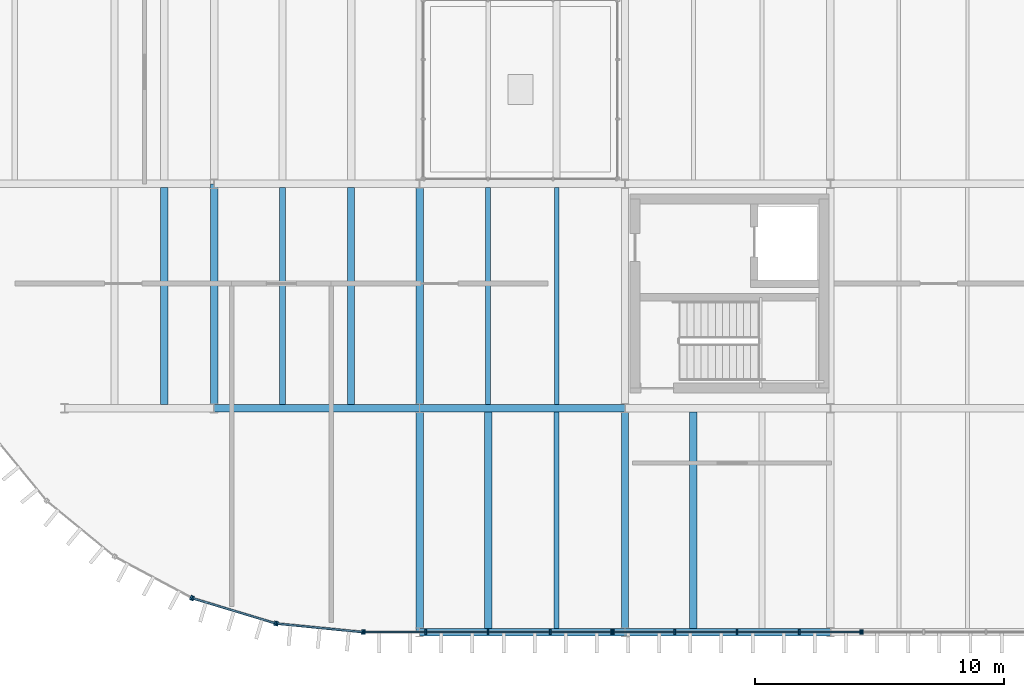
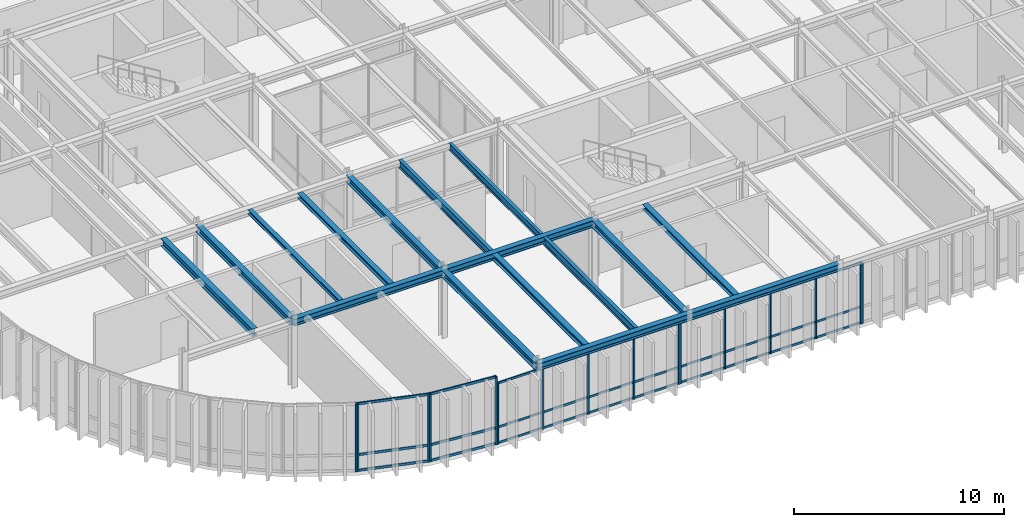
# One storey, part 8 of 31: 28 members, 16 beams, 6 elements without a shape of their own.
"""IFC4 building model written with IfcOpenShell, lengths in metres."""

from ifc_helpers import new_model, si_unit, direction, frame, origin, origin_2d, place, context, subcontext, project, spatial, rectangle, i_section, extrude, material, layer, layer_set, material_profile, profile_set, type_object, element, aggregate, save


model = new_model("IFC4")

# Units and contexts
model_context = context("Model", 3, precision=1e-05, world=origin(), true_north=direction((0.0, 1.0)))
body_context = subcontext(model_context, "Body", "Model", "MODEL_VIEW")
ifc_project = project(units=[si_unit("LENGTHUNIT", "METRE"), si_unit("AREAUNIT", "SQUARE_METRE"), si_unit("VOLUMEUNIT", "CUBIC_METRE"), si_unit("PLANEANGLEUNIT", "RADIAN"), si_unit("MASSUNIT", "GRAM", prefix="KILO")], contexts=[model_context])

# Site, building, storey
site_placement = place(None, origin())
site = spatial("IfcSite", under=ifc_project, at=site_placement, CompositionType="ELEMENT")
building_placement = place(site_placement, origin())
building = spatial("IfcBuilding", under=site, at=building_placement, Name="Montealbar Specialist Clinic", CompositionType="ELEMENT")
storey_placement = place(building_placement, frame((0.0, 0.0, 13.800048828125)))
storey = spatial("IfcBuildingStorey", under=building, at=storey_placement, Name="L03", CompositionType="ELEMENT", Elevation=13.800048828125)

# Beams
ifc_material_1 = material(Name="Steel S355", Category="steel")
ifc_material_profile_1 = material_profile(ifc_material_1, i_section(OverallWidth=0.300048828125, OverallDepth=0.39990234375, WebThickness=0.013427734375, FlangeThickness=0.02392578125, FilletRadius=0.027099609375, at=origin_2d()), Name="HEB 400", Category="steel")
ifc_profile_set_1 = profile_set([ifc_material_profile_1], Name="Steel S355")
beam_type_1 = type_object("IfcBeamType", Name="BM-GIRD-HEB400", PredefinedType="BEAM", material=ifc_profile_set_1)
for number, where, z_axis, x_axis, name in (
    (1, (66.0, 9.0, 3.739990234375), (1.0, 0.0, 0.0), (0.0, 1.0, 0.0), "Beam GX-L03-660-742-90"),
    (2, (74.25, 9.0, 3.739990234375), (1.0, 0.0, 0.0), (0.0, 1.0, 0.0), "Beam GX-L03-742-825-90"),
):
    element("IfcBeam", number, at=place(storey_placement, frame(where, z_axis=z_axis, x_axis=x_axis)), inside=storey, type_object=beam_type_1, Name=name, PredefinedType="BEAM", context=body_context, shape_type="SweptSolid", body=[
        extrude(i_section(OverallWidth=0.300048828125, OverallDepth=0.39990234375, WebThickness=0.013427734375, FlangeThickness=0.02392578125, FilletRadius=0.027099609375, at=origin_2d()), origin(), (0.0, 0.0, 1.0), 8.25),
    ])
for number, where, z_axis, x_axis, name in (
    (3, (66.0, 9.0, 3.739990234375), (0.0, 1.0, 0.0), (-1.0, 0.0, 0.0), "Beam GY-L03-660-90-180"),
    (4, (74.25, 0.0, 3.739990234375), (0.0, 1.0, 0.0), (-1.0, 0.0, 0.0), "Beam GY-L03-742-0-90"),
    (5, (74.25, 9.0, 3.739990234375), (0.0, 1.0, 0.0), (-1.0, 0.0, 0.0), "Beam GY-L03-742-90-180"),
    (6, (82.5, 0.0, 3.739990234375), (0.0, 1.0, 0.0), (-1.0, 0.0, 0.0), "Beam GY-L03-825-0-90"),
):
    element("IfcBeam", number, at=place(storey_placement, frame(where, z_axis=z_axis, x_axis=x_axis)), inside=storey, type_object=beam_type_1, Name=name, PredefinedType="BEAM", context=body_context, shape_type="SweptSolid", body=[
        extrude(i_section(OverallWidth=0.300048828125, OverallDepth=0.39990234375, WebThickness=0.013427734375, FlangeThickness=0.02392578125, FilletRadius=0.027099609375, at=origin_2d()), origin(), (0.0, 0.0, 1.0), 9.0),
    ])
ifc_material_profile_2 = material_profile(ifc_material_1, i_section(OverallWidth=0.300048828125, OverallDepth=0.39990234375, WebThickness=0.013427734375, FlangeThickness=0.02392578125, FilletRadius=0.027099609375, at=origin_2d()), Name="HEB 400", Category="steel")
ifc_profile_set_2 = profile_set([ifc_material_profile_2], Name="Steel S355")
beam_type_2 = type_object("IfcBeamType", Name="BM-GIRD-HEB400-EXT", PredefinedType="BEAM", material=ifc_profile_set_2)
for number, where, z_axis, x_axis, name in (
    (7, (74.25, 0.0, 3.739990234375), (1.0, 0.0, 0.0), (0.0, 1.0, 0.0), "Beam GX-L03-742-825-0"),
    (8, (82.5, 0.0, 3.739990234375), (1.0, 0.0, 0.0), (0.0, 1.0, 0.0), "Beam GX-L03-825-908-0"),
):
    element("IfcBeam", number, at=place(storey_placement, frame(where, z_axis=z_axis, x_axis=x_axis)), inside=storey, type_object=beam_type_2, Name=name, PredefinedType="BEAM", context=body_context, shape_type="SweptSolid", body=[
        extrude(i_section(OverallWidth=0.300048828125, OverallDepth=0.39990234375, WebThickness=0.013427734375, FlangeThickness=0.02392578125, FilletRadius=0.027099609375, at=origin_2d()), origin(), (0.0, 0.0, 1.0), 8.25),
    ])
ifc_material_profile_3 = material_profile(ifc_material_1, i_section(OverallWidth=0.300048828125, OverallDepth=0.43994140625, WebThickness=0.011474609375, FlangeThickness=0.02099609375, FilletRadius=0.027099609375, at=origin_2d()), Name="HEA 450", Category="steel")
ifc_profile_set_3 = profile_set([ifc_material_profile_3], Name="Steel S355")
beam_type_3 = type_object("IfcBeamType", Name="BM-JST-HEA450", PredefinedType="JOIST", material=ifc_profile_set_3)
beam_1_placement = place(storey_placement, frame((64.0, 9.14990234375, 3.719970703125), z_axis=(0.0, 1.0, 0.0), x_axis=(-1.0, 0.0, 0.0)))
element("IfcBeam", 9, at=beam_1_placement, inside=storey, type_object=beam_type_3, Name="Beam JST-L03-640-92-178", PredefinedType="JOIST", context=body_context, shape_type="SweptSolid", body=[
    extrude(i_section(OverallWidth=0.300048828125, OverallDepth=0.43994140625, WebThickness=0.011474609375, FlangeThickness=0.02099609375, FilletRadius=0.027099609375, at=origin_2d()), origin(), (0.0, 0.0, 1.0), 8.7001953125),
])
ifc_material_profile_4 = material_profile(ifc_material_1, i_section(OverallWidth=0.239990234375, OverallDepth=0.239990234375, WebThickness=0.010009765625, FlangeThickness=0.01708984375, FilletRadius=0.02099609375, at=origin_2d()), Name="HEB 240", Category="steel")
ifc_profile_set_4 = profile_set([ifc_material_profile_4], Name="Steel S355")
beam_type_4 = type_object("IfcBeamType", Name="BM-JST-HEB240", PredefinedType="JOIST", material=ifc_profile_set_4)
beam_2_placement = place(storey_placement, frame((68.75, 9.14990234375, 3.820068359375), z_axis=(0.0, 1.0, 0.0), x_axis=(-1.0, 0.0, 0.0)))
element("IfcBeam", 10, at=beam_2_placement, inside=storey, type_object=beam_type_4, Name="Beam JST-L03-688-92-178", PredefinedType="JOIST", context=body_context, shape_type="SweptSolid", body=[
    extrude(i_section(OverallWidth=0.239990234375, OverallDepth=0.239990234375, WebThickness=0.010009765625, FlangeThickness=0.01708984375, FilletRadius=0.02099609375, at=origin_2d()), origin(), (0.0, 0.0, 1.0), 8.7001953125),
])
ifc_material_profile_5 = material_profile(ifc_material_1, i_section(OverallWidth=0.280029296875, OverallDepth=0.280029296875, WebThickness=0.010498046875, FlangeThickness=0.01806640625, FilletRadius=0.02392578125, at=origin_2d()), Name="HEB 280", Category="steel")
ifc_profile_set_5 = profile_set([ifc_material_profile_5], Name="Steel S355")
beam_type_5 = type_object("IfcBeamType", Name="BM-JST-HEB280", PredefinedType="JOIST", material=ifc_profile_set_5)
beam_3_placement = place(storey_placement, frame((71.5, 9.14990234375, 3.800048828125), z_axis=(0.0, 1.0, 0.0), x_axis=(-1.0, 0.0, 0.0)))
element("IfcBeam", 11, at=beam_3_placement, inside=storey, type_object=beam_type_5, Name="Beam JST-L03-715-92-178", PredefinedType="JOIST", context=body_context, shape_type="SweptSolid", body=[
    extrude(i_section(OverallWidth=0.280029296875, OverallDepth=0.280029296875, WebThickness=0.010498046875, FlangeThickness=0.01806640625, FilletRadius=0.02392578125, at=origin_2d()), origin(), (0.0, 0.0, 1.0), 8.7001953125),
])
ifc_material_profile_6 = material_profile(ifc_material_1, i_section(OverallWidth=0.300048828125, OverallDepth=0.320068359375, WebThickness=0.011474609375, FlangeThickness=0.0205078125, FilletRadius=0.027099609375, at=origin_2d()), Name="HEB 320", Category="steel")
ifc_profile_set_6 = profile_set([ifc_material_profile_6], Name="Steel S355")
beam_type_6 = type_object("IfcBeamType", Name="BM-JST-HEB320", PredefinedType="JOIST", material=ifc_profile_set_6)
beam_4_placement = place(storey_placement, frame((77.0, 0.14990234375, 3.780029296875), z_axis=(0.0, 1.0, 0.0), x_axis=(-1.0, 0.0, 0.0)))
element("IfcBeam", 12, at=beam_4_placement, inside=storey, type_object=beam_type_6, Name="Beam JST-L03-770-2-88", PredefinedType="JOIST", context=body_context, shape_type="SweptSolid", body=[
    extrude(i_section(OverallWidth=0.300048828125, OverallDepth=0.320068359375, WebThickness=0.011474609375, FlangeThickness=0.0205078125, FilletRadius=0.027099609375, at=origin_2d()), origin(), (0.0, 0.0, 1.0), 8.7001953125),
])
ifc_material_profile_7 = material_profile(ifc_material_1, i_section(OverallWidth=0.179931640625, OverallDepth=0.39990234375, WebThickness=0.008544921875, FlangeThickness=0.013427734375, FilletRadius=0.02099609375, at=origin_2d()), Name="IPE 400", Category="steel")
ifc_profile_set_7 = profile_set([ifc_material_profile_7], Name="Steel S355")
beam_type_7 = type_object("IfcBeamType", Name="BM-SEC-IPE400", PredefinedType="BEAM", material=ifc_profile_set_7)
beam_5_placement = place(storey_placement, frame((79.75, 9.14990234375, 3.739990234375), z_axis=(0.0, 1.0, 0.0), x_axis=(-1.0, 0.0, 0.0)))
element("IfcBeam", 13, at=beam_5_placement, inside=storey, type_object=beam_type_7, Name="Beam JST-L03-798-92-178", PredefinedType="BEAM", context=body_context, shape_type="SweptSolid", body=[
    extrude(i_section(OverallWidth=0.179931640625, OverallDepth=0.39990234375, WebThickness=0.008544921875, FlangeThickness=0.013427734375, FilletRadius=0.02099609375, at=origin_2d()), origin(), (0.0, 0.0, 1.0), 8.7001953125),
])
ifc_material_profile_8 = material_profile(ifc_material_1, i_section(OverallWidth=0.18994140625, OverallDepth=0.449951171875, WebThickness=0.009521484375, FlangeThickness=0.0146484375, FilletRadius=0.02099609375, at=origin_2d()), Name="IPE 450", Category="steel")
ifc_profile_set_8 = profile_set([ifc_material_profile_8], Name="Steel S355")
beam_type_8 = type_object("IfcBeamType", Name="BM-SEC-IPE450", PredefinedType="BEAM", material=ifc_profile_set_8)
for number, where, z_axis, x_axis, name in (
    (14, (79.75, 0.14990234375, 3.71484375), (0.0, 1.0, 0.0), (-1.0, 0.0, 0.0), "Beam JST-L03-798-2-88"),
    (15, (77.0, 9.14990234375, 3.71484375), (0.0, 1.0, 0.0), (-1.0, 0.0, 0.0), "Beam JST-L03-770-92-178"),
):
    element("IfcBeam", number, at=place(storey_placement, frame(where, z_axis=z_axis, x_axis=x_axis)), inside=storey, type_object=beam_type_8, Name=name, PredefinedType="BEAM", context=body_context, shape_type="SweptSolid", body=[
        extrude(i_section(OverallWidth=0.18994140625, OverallDepth=0.449951171875, WebThickness=0.009521484375, FlangeThickness=0.0146484375, FilletRadius=0.02099609375, at=origin_2d()), origin(), (0.0, 0.0, 1.0), 8.7001953125),
    ])
ifc_material_profile_9 = material_profile(ifc_material_1, i_section(OverallWidth=0.300048828125, OverallDepth=0.2900390625, WebThickness=0.008544921875, FlangeThickness=0.013916015625, FilletRadius=0.027099609375, at=origin_2d()), Name="HEA 300", Category="steel")
ifc_profile_set_9 = profile_set([ifc_material_profile_9], Name="Steel S355")
beam_type_9 = type_object("IfcBeamType", Name="BM-SPAND-HEA300", PredefinedType="SPANDREL", material=ifc_profile_set_9)
beam_6_placement = place(storey_placement, frame((85.25, 0.14990234375, 3.794921875), z_axis=(0.0, 1.0, 0.0), x_axis=(-1.0, 0.0, 0.0)))
element("IfcBeam", 16, at=beam_6_placement, inside=storey, type_object=beam_type_9, Name="Beam JST-L03-852-2-88", PredefinedType="SPANDREL", context=body_context, shape_type="SweptSolid", body=[
    extrude(i_section(OverallWidth=0.300048828125, OverallDepth=0.2900390625, WebThickness=0.008544921875, FlangeThickness=0.013916015625, FilletRadius=0.027099609375, at=origin_2d()), origin(), (0.0, 0.0, 1.0), 8.7001953125),
])

# Curtain wall, member
ifc_material_2 = material(Name="Low-E double glazing", Category="glass")
ifc_layer_1 = layer(ifc_material_2, 0.199951171875, Name="Low-E double glazing", Category="glass")
ifc_layer_set_1 = layer_set([ifc_layer_1], Name="Low-E double glazing")
curtain_wall_type_1 = type_object("IfcCurtainWallType", Name="CW-TYPE-22", PredefinedType="NOTDEFINED", material=ifc_layer_set_1)
curtain_wall_1_placement = place(storey_placement, origin())
curtain_wall_1 = element("IfcCurtainWall", 17, at=curtain_wall_1_placement, inside=storey, type_object=curtain_wall_type_1, Name="Unitised Curtain Wall CW-L03-1020-0-920-0-138", PredefinedType="NOTDEFINED")
ifc_material_3 = material(Name="Anodised aluminium EN AW-6063", Category="aluminium")
ifc_material_profile_10 = material_profile(ifc_material_3, rectangle(XDim=0.070068359375, YDim=0.179931640625, at=origin_2d()), Name="ALU 70x180", Category="aluminium")
ifc_profile_set_10 = profile_set([ifc_material_profile_10], Name="Anodised aluminium EN AW-6063")
member_type_1 = type_object("IfcMemberType", Name="CW-MUL-200", PredefinedType="MULLION", material=ifc_profile_set_10)
member_1_placement = place(storey_placement, frame((92.0400390625, 0.0, 0.0), z_axis=(0.0, 0.0, 1.0), x_axis=(-1.0, 0.0, 0.0)))
member_1 = element("IfcMember", 18, at=member_1_placement, type_object=member_type_1, Name="Curtain Wall Mullion CW-L03-1020-0-920-0-138-04", PredefinedType="MULLION", context=body_context, shape_type="SweptSolid", body=[
    extrude(rectangle(XDim=0.070068359375, YDim=0.179931640625, at=origin_2d()), origin(), (0.0, 0.0, 1.0), 3.5400390625),
])
aggregate(curtain_wall_1, [member_1])

# Curtain wall, members
curtain_wall_2_placement = place(storey_placement, origin())
curtain_wall_2 = element("IfcCurtainWall", 19, at=curtain_wall_2_placement, inside=storey, type_object=curtain_wall_type_1, Name="Unitised Curtain Wall CW-L03-920-0-820-0-138", PredefinedType="NOTDEFINED")
member_2_placement = place(storey_placement, frame((91.9599609375, 0.0, 0.0), z_axis=(0.0, 0.0, 1.0), x_axis=(-1.0, 0.0, 0.0)))
member_2 = element("IfcMember", 20, at=member_2_placement, type_object=member_type_1, Name="Curtain Wall Mullion CW-L03-920-0-820-0-138-00", PredefinedType="MULLION", context=body_context, shape_type="SweptSolid", body=[
    extrude(rectangle(XDim=0.070068359375, YDim=0.179931640625, at=origin_2d()), origin(), (0.0, 0.0, 1.0), 3.5400390625),
])
member_3_placement = place(storey_placement, frame((89.5, 0.0, 0.0), z_axis=(0.0, 0.0, 1.0), x_axis=(-1.0, 0.0, 0.0)))
member_3 = element("IfcMember", 21, at=member_3_placement, type_object=member_type_1, Name="Curtain Wall Mullion CW-L03-920-0-820-0-138-01", PredefinedType="MULLION", context=body_context, shape_type="SweptSolid", body=[
    extrude(rectangle(XDim=0.070068359375, YDim=0.179931640625, at=origin_2d()), origin(), (0.0, 0.0, 1.0), 3.5400390625),
])
member_4_placement = place(storey_placement, frame((87.0, 0.0, 0.0), z_axis=(0.0, 0.0, 1.0), x_axis=(-1.0, 0.0, 0.0)))
member_4 = element("IfcMember", 22, at=member_4_placement, type_object=member_type_1, Name="Curtain Wall Mullion CW-L03-920-0-820-0-138-02", PredefinedType="MULLION", context=body_context, shape_type="SweptSolid", body=[
    extrude(rectangle(XDim=0.070068359375, YDim=0.179931640625, at=origin_2d()), origin(), (0.0, 0.0, 1.0), 3.5400390625),
])
member_5_placement = place(storey_placement, frame((84.5, 0.0, 0.0), z_axis=(0.0, 0.0, 1.0), x_axis=(-1.0, 0.0, 0.0)))
member_5 = element("IfcMember", 23, at=member_5_placement, type_object=member_type_1, Name="Curtain Wall Mullion CW-L03-920-0-820-0-138-03", PredefinedType="MULLION", context=body_context, shape_type="SweptSolid", body=[
    extrude(rectangle(XDim=0.070068359375, YDim=0.179931640625, at=origin_2d()), origin(), (0.0, 0.0, 1.0), 3.5400390625),
])
member_6_placement = place(storey_placement, frame((82.0400390625, 0.0, 0.0), z_axis=(0.0, 0.0, 1.0), x_axis=(-1.0, 0.0, 0.0)))
member_6 = element("IfcMember", 24, at=member_6_placement, type_object=member_type_1, Name="Curtain Wall Mullion CW-L03-920-0-820-0-138-04", PredefinedType="MULLION", context=body_context, shape_type="SweptSolid", body=[
    extrude(rectangle(XDim=0.070068359375, YDim=0.179931640625, at=origin_2d()), origin(), (0.0, 0.0, 1.0), 3.5400390625),
])

curtain_wall_3_placement = place(storey_placement, origin())
curtain_wall_3 = element("IfcCurtainWall", 25, at=curtain_wall_3_placement, inside=storey, type_object=curtain_wall_type_1, Name="Unitised Curtain Wall CW-L03-820-0-720-0-138", PredefinedType="NOTDEFINED")
member_7_placement = place(storey_placement, frame((81.9599609375, 0.0, 0.0), z_axis=(0.0, 0.0, 1.0), x_axis=(-1.0, 0.0, 0.0)))
member_7 = element("IfcMember", 26, at=member_7_placement, type_object=member_type_1, Name="Curtain Wall Mullion CW-L03-820-0-720-0-138-00", PredefinedType="MULLION", context=body_context, shape_type="SweptSolid", body=[
    extrude(rectangle(XDim=0.070068359375, YDim=0.179931640625, at=origin_2d()), origin(), (0.0, 0.0, 1.0), 3.5400390625),
])
member_8_placement = place(storey_placement, frame((79.5, 0.0, 0.0), z_axis=(0.0, 0.0, 1.0), x_axis=(-1.0, 0.0, 0.0)))
member_8 = element("IfcMember", 27, at=member_8_placement, type_object=member_type_1, Name="Curtain Wall Mullion CW-L03-820-0-720-0-138-01", PredefinedType="MULLION", context=body_context, shape_type="SweptSolid", body=[
    extrude(rectangle(XDim=0.070068359375, YDim=0.179931640625, at=origin_2d()), origin(), (0.0, 0.0, 1.0), 3.5400390625),
])
member_9_placement = place(storey_placement, frame((77.0, 0.0, 0.0), z_axis=(0.0, 0.0, 1.0), x_axis=(-1.0, 0.0, 0.0)))
member_9 = element("IfcMember", 28, at=member_9_placement, type_object=member_type_1, Name="Curtain Wall Mullion CW-L03-820-0-720-0-138-02", PredefinedType="MULLION", context=body_context, shape_type="SweptSolid", body=[
    extrude(rectangle(XDim=0.070068359375, YDim=0.179931640625, at=origin_2d()), origin(), (0.0, 0.0, 1.0), 3.5400390625),
])
member_10_placement = place(storey_placement, frame((74.5, 0.0, 0.0), z_axis=(0.0, 0.0, 1.0), x_axis=(-1.0, 0.0, 0.0)))
member_10 = element("IfcMember", 29, at=member_10_placement, type_object=member_type_1, Name="Curtain Wall Mullion CW-L03-820-0-720-0-138-03", PredefinedType="MULLION", context=body_context, shape_type="SweptSolid", body=[
    extrude(rectangle(XDim=0.070068359375, YDim=0.179931640625, at=origin_2d()), origin(), (0.0, 0.0, 1.0), 3.5400390625),
])
member_11_placement = place(storey_placement, frame((72.0400390625, 0.0, 0.0), z_axis=(0.0, 0.0, 1.0), x_axis=(-1.0, 0.0, 0.0)))
member_11 = element("IfcMember", 30, at=member_11_placement, type_object=member_type_1, Name="Curtain Wall Mullion CW-L03-820-0-720-0-138-04", PredefinedType="MULLION", context=body_context, shape_type="SweptSolid", body=[
    extrude(rectangle(XDim=0.070068359375, YDim=0.179931640625, at=origin_2d()), origin(), (0.0, 0.0, 1.0), 3.5400390625),
])

ifc_layer_2 = layer(ifc_material_2, 0.199951171875, Name="Low-E double glazing", Category="glass")
ifc_layer_set_2 = layer_set([ifc_layer_2], Name="Low-E double glazing")
curtain_wall_type_2 = type_object("IfcCurtainWallType", Name="CW-TYPE-19", PredefinedType="NOTDEFINED", material=ifc_layer_set_2)
curtain_wall_4_placement = place(storey_placement, origin())
curtain_wall_4 = element("IfcCurtainWall", 31, at=curtain_wall_4_placement, inside=storey, type_object=curtain_wall_type_2, Name="Unitised Curtain Wall CW-L03-720-0-685-3-138", PredefinedType="NOTDEFINED")
member_12_placement = place(storey_placement, frame((71.9599609375, 0.00390625, 0.0), z_axis=(0.0, 0.0, 1.0), x_axis=(-0.995182012183, 0.098044697094, 0.0)))
member_12 = element("IfcMember", 32, at=member_12_placement, type_object=member_type_1, Name="Curtain Wall Mullion CW-L03-720-0-685-3-138-00", PredefinedType="MULLION", context=body_context, shape_type="SweptSolid", body=[
    extrude(rectangle(XDim=0.070068359375, YDim=0.179931640625, at=origin_2d()), origin(), (0.0, 0.0, 1.0), 3.93994140625),
])
member_13_placement = place(storey_placement, frame((68.528076171875, 0.342041015625, 0.0), z_axis=(0.0, 0.0, 1.0), x_axis=(-0.995182012183, 0.098044697094, 0.0)))
member_13 = element("IfcMember", 33, at=member_13_placement, type_object=member_type_1, Name="Curtain Wall Mullion CW-L03-720-0-685-3-138-01", PredefinedType="MULLION", context=body_context, shape_type="SweptSolid", body=[
    extrude(rectangle(XDim=0.070068359375, YDim=0.179931640625, at=origin_2d()), origin(), (0.0, 0.0, 1.0), 3.93994140625),
])

curtain_wall_5_placement = place(storey_placement, origin())
curtain_wall_5 = element("IfcCurtainWall", 34, at=curtain_wall_5_placement, inside=storey, type_object=curtain_wall_type_2, Name="Unitised Curtain Wall CW-L03-685-3-651-14-138", PredefinedType="NOTDEFINED")
member_14_placement = place(storey_placement, frame((68.449951171875, 0.35791015625, 0.0), z_axis=(0.0, 0.0, 1.0), x_axis=(-0.956948083701, 0.290259134399, 0.0)))
member_14 = element("IfcMember", 35, at=member_14_placement, type_object=member_type_1, Name="Curtain Wall Mullion CW-L03-685-3-651-14-138-00", PredefinedType="MULLION", context=body_context, shape_type="SweptSolid", body=[
    extrude(rectangle(XDim=0.070068359375, YDim=0.179931640625, at=origin_2d()), origin(), (0.0, 0.0, 1.0), 3.93994140625),
])
member_15_placement = place(storey_placement, frame((65.14990234375, 1.35791015625, 0.0), z_axis=(0.0, 0.0, 1.0), x_axis=(-0.956948083701, 0.290259134399, 0.0)))
member_15 = element("IfcMember", 36, at=member_15_placement, type_object=member_type_1, Name="Curtain Wall Mullion CW-L03-685-3-651-14-138-01", PredefinedType="MULLION", context=body_context, shape_type="SweptSolid", body=[
    extrude(rectangle(XDim=0.070068359375, YDim=0.179931640625, at=origin_2d()), origin(), (0.0, 0.0, 1.0), 3.93994140625),
])

# Curtain wall, member
curtain_wall_6_placement = place(storey_placement, origin())
curtain_wall_6 = element("IfcCurtainWall", 37, at=curtain_wall_6_placement, inside=storey, type_object=curtain_wall_type_2, Name="Unitised Curtain Wall CW-L03-651-14-620-30-138", PredefinedType="NOTDEFINED")
member_16_placement = place(storey_placement, frame((65.076904296875, 1.388916015625, 0.0), z_axis=(0.0, 0.0, 1.0), x_axis=(-0.881850411644, 0.471529268958, 0.0)))
member_16 = element("IfcMember", 38, at=member_16_placement, type_object=member_type_1, Name="Curtain Wall Mullion CW-L03-651-14-620-30-138-00", PredefinedType="MULLION", context=body_context, shape_type="SweptSolid", body=[
    extrude(rectangle(XDim=0.070068359375, YDim=0.179931640625, at=origin_2d()), origin(), (0.0, 0.0, 1.0), 3.93994140625),
])
aggregate(curtain_wall_6, [member_16])

# Member
ifc_material_4 = material(Name="Powder-coated aluminium", Category="aluminium")
ifc_material_profile_11 = material_profile(ifc_material_4, rectangle(XDim=0.06005859375, YDim=0.1201171875, at=origin_2d()), Name="ALU 60x120", Category="aluminium")
ifc_profile_set_11 = profile_set([ifc_material_profile_11], Name="Powder-coated aluminium")
member_type_2 = type_object("IfcMemberType", Name="CW-TRN-120", PredefinedType="USERDEFINED", material=ifc_profile_set_11)
member_17_placement = place(storey_placement, frame((91.949951171875, 0.0, 0.0400390625), z_axis=(-1.0, 0.0, 0.0), x_axis=(0.0, -1.0, 0.0)))
member_17 = element("IfcMember", 39, at=member_17_placement, type_object=member_type_2, Name="Curtain Wall Transom CW-L03-920-0-820-0-138-00", ObjectType="TRANSOM", PredefinedType="USERDEFINED", context=body_context, shape_type="SweptSolid", body=[
    extrude(rectangle(XDim=0.06005859375, YDim=0.1201171875, at=origin_2d()), origin(), (0.0, 0.0, 1.0), 9.89990234375),
])

member_18_placement = place(storey_placement, frame((91.949951171875, 0.0, 0.949951171875), z_axis=(-1.0, 0.0, 0.0), x_axis=(0.0, -1.0, 0.0)))
member_18 = element("IfcMember", 40, at=member_18_placement, type_object=member_type_2, Name="Curtain Wall Transom CW-L03-920-0-820-0-138-01", ObjectType="TRANSOM", PredefinedType="USERDEFINED", context=body_context, shape_type="SweptSolid", body=[
    extrude(rectangle(XDim=0.06005859375, YDim=0.1201171875, at=origin_2d()), origin(), (0.0, 0.0, 1.0), 9.89990234375),
])

member_19_placement = place(storey_placement, frame((91.949951171875, 0.0, 3.5), z_axis=(-1.0, 0.0, 0.0), x_axis=(0.0, -1.0, 0.0)))
member_19 = element("IfcMember", 41, at=member_19_placement, type_object=member_type_2, Name="Curtain Wall Transom CW-L03-920-0-820-0-138-02", ObjectType="TRANSOM", PredefinedType="USERDEFINED", context=body_context, shape_type="SweptSolid", body=[
    extrude(rectangle(XDim=0.06005859375, YDim=0.1201171875, at=origin_2d()), origin(), (0.0, 0.0, 1.0), 9.89990234375),
])

aggregate(curtain_wall_2, [member_2, member_3, member_4, member_5, member_6, member_17, member_18, member_19])

member_20_placement = place(storey_placement, frame((81.949951171875, 0.0, 0.0400390625), z_axis=(-1.0, 0.0, 0.0), x_axis=(0.0, -1.0, 0.0)))
member_20 = element("IfcMember", 42, at=member_20_placement, type_object=member_type_2, Name="Curtain Wall Transom CW-L03-820-0-720-0-138-00", ObjectType="TRANSOM", PredefinedType="USERDEFINED", context=body_context, shape_type="SweptSolid", body=[
    extrude(rectangle(XDim=0.06005859375, YDim=0.1201171875, at=origin_2d()), origin(), (0.0, 0.0, 1.0), 9.89990234375),
])

member_21_placement = place(storey_placement, frame((81.949951171875, 0.0, 0.949951171875), z_axis=(-1.0, 0.0, 0.0), x_axis=(0.0, -1.0, 0.0)))
member_21 = element("IfcMember", 43, at=member_21_placement, type_object=member_type_2, Name="Curtain Wall Transom CW-L03-820-0-720-0-138-01", ObjectType="TRANSOM", PredefinedType="USERDEFINED", context=body_context, shape_type="SweptSolid", body=[
    extrude(rectangle(XDim=0.06005859375, YDim=0.1201171875, at=origin_2d()), origin(), (0.0, 0.0, 1.0), 9.89990234375),
])

member_22_placement = place(storey_placement, frame((81.949951171875, 0.0, 3.5), z_axis=(-1.0, 0.0, 0.0), x_axis=(0.0, -1.0, 0.0)))
member_22 = element("IfcMember", 44, at=member_22_placement, type_object=member_type_2, Name="Curtain Wall Transom CW-L03-820-0-720-0-138-02", ObjectType="TRANSOM", PredefinedType="USERDEFINED", context=body_context, shape_type="SweptSolid", body=[
    extrude(rectangle(XDim=0.06005859375, YDim=0.1201171875, at=origin_2d()), origin(), (0.0, 0.0, 1.0), 9.89990234375),
])

aggregate(curtain_wall_3, [member_7, member_8, member_9, member_10, member_11, member_20, member_21, member_22])

ifc_material_profile_12 = material_profile(ifc_material_4, rectangle(XDim=0.070068359375, YDim=0.139892578125, at=origin_2d()), Name="ALU 70x140", Category="aluminium")
ifc_profile_set_12 = profile_set([ifc_material_profile_12], Name="Powder-coated aluminium")
member_type_3 = type_object("IfcMemberType", Name="CW-TRN-140", PredefinedType="USERDEFINED", material=ifc_profile_set_12)
member_23_placement = place(storey_placement, frame((71.949951171875, 0.0048828125, 0.0400390625), z_axis=(-0.995180678623, 0.098058232162, 0.0), x_axis=(-0.098058232162, -0.995180678623, 0.0)))
member_23 = element("IfcMember", 45, at=member_23_placement, type_object=member_type_3, Name="Curtain Wall Transom CW-L03-720-0-685-3-138-00", ObjectType="TRANSOM", PredefinedType="USERDEFINED", context=body_context, shape_type="SweptSolid", body=[
    extrude(rectangle(XDim=0.070068359375, YDim=0.139892578125, at=origin_2d()), origin(), (0.0, 0.0, 1.0), 3.428466796875),
])

member_24_placement = place(storey_placement, frame((71.949951171875, 0.0048828125, 0.949951171875), z_axis=(-0.995180678623, 0.098058232162, 0.0), x_axis=(-0.098058232162, -0.995180678623, 0.0)))
member_24 = element("IfcMember", 46, at=member_24_placement, type_object=member_type_3, Name="Curtain Wall Transom CW-L03-720-0-685-3-138-01", ObjectType="TRANSOM", PredefinedType="USERDEFINED", context=body_context, shape_type="SweptSolid", body=[
    extrude(rectangle(XDim=0.070068359375, YDim=0.139892578125, at=origin_2d()), origin(), (0.0, 0.0, 1.0), 3.428466796875),
])

member_25_placement = place(storey_placement, frame((71.949951171875, 0.0048828125, 3.89990234375), z_axis=(-0.995180678623, 0.098058232162, 0.0), x_axis=(-0.098058232162, -0.995180678623, 0.0)))
member_25 = element("IfcMember", 47, at=member_25_placement, type_object=member_type_3, Name="Curtain Wall Transom CW-L03-720-0-685-3-138-02", ObjectType="TRANSOM", PredefinedType="USERDEFINED", context=body_context, shape_type="SweptSolid", body=[
    extrude(rectangle(XDim=0.070068359375, YDim=0.139892578125, at=origin_2d()), origin(), (0.0, 0.0, 1.0), 3.428466796875),
])

aggregate(curtain_wall_4, [member_12, member_13, member_23, member_24, member_25])

member_26_placement = place(storey_placement, frame((68.43994140625, 0.361083984375, 0.0400390625), z_axis=(-0.957028598092, 0.289993555849, 0.0), x_axis=(-0.289993555849, -0.957028598092, 0.0)))
member_26 = element("IfcMember", 48, at=member_26_placement, type_object=member_type_3, Name="Curtain Wall Transom CW-L03-685-3-651-14-138-00", ObjectType="TRANSOM", PredefinedType="USERDEFINED", context=body_context, shape_type="SweptSolid", body=[
    extrude(rectangle(XDim=0.070068359375, YDim=0.139892578125, at=origin_2d()), origin(), (0.0, 0.0, 1.0), 3.42724609375),
])

member_27_placement = place(storey_placement, frame((68.43994140625, 0.361083984375, 0.949951171875), z_axis=(-0.957028598092, 0.289993555849, 0.0), x_axis=(-0.289993555849, -0.957028598092, 0.0)))
member_27 = element("IfcMember", 49, at=member_27_placement, type_object=member_type_3, Name="Curtain Wall Transom CW-L03-685-3-651-14-138-01", ObjectType="TRANSOM", PredefinedType="USERDEFINED", context=body_context, shape_type="SweptSolid", body=[
    extrude(rectangle(XDim=0.070068359375, YDim=0.139892578125, at=origin_2d()), origin(), (0.0, 0.0, 1.0), 3.42724609375),
])

member_28_placement = place(storey_placement, frame((68.43994140625, 0.361083984375, 3.89990234375), z_axis=(-0.957028598092, 0.289993555849, 0.0), x_axis=(-0.289993555849, -0.957028598092, 0.0)))
member_28 = element("IfcMember", 50, at=member_28_placement, type_object=member_type_3, Name="Curtain Wall Transom CW-L03-685-3-651-14-138-02", ObjectType="TRANSOM", PredefinedType="USERDEFINED", context=body_context, shape_type="SweptSolid", body=[
    extrude(rectangle(XDim=0.070068359375, YDim=0.139892578125, at=origin_2d()), origin(), (0.0, 0.0, 1.0), 3.42724609375),
])

aggregate(curtain_wall_5, [member_14, member_15, member_26, member_27, member_28])

save(model, "model.ifc")
